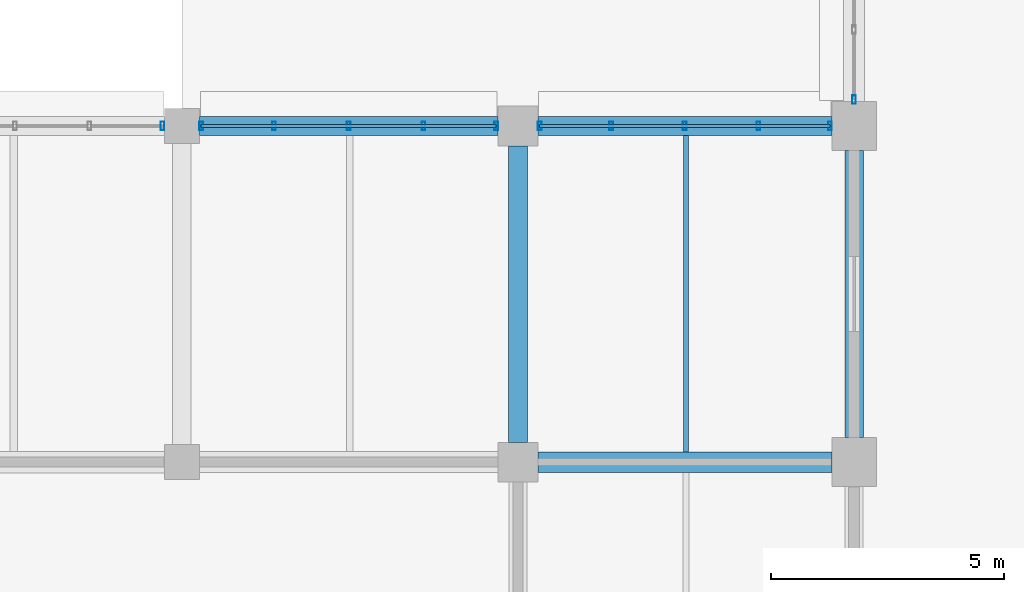
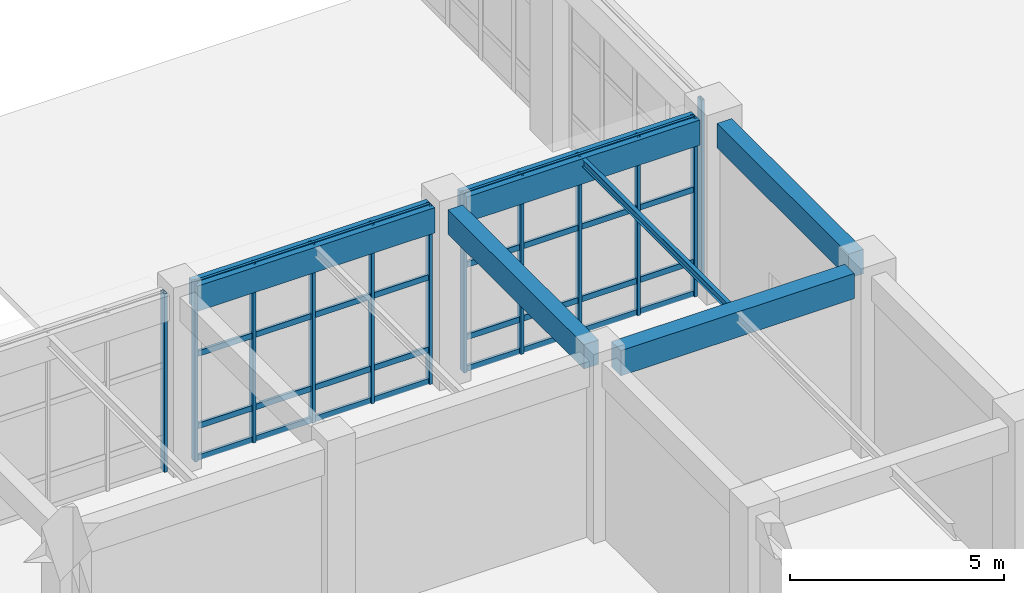
# One storey, part 38 of 160: 20 members, 6 beams, 4 elements without a shape of their own.
"""IFC4 building model written with IfcOpenShell, lengths in metres."""

from ifc_helpers import new_model, si_unit, direction, frame, origin, origin_2d, place, context, subcontext, project, spatial, rectangle, hollow_rectangle, i_section, extrude, material, material_profile, profile_set, type_object, element, aggregate, save


model = new_model("IFC4")

# Units and contexts
model_context = context("Model", 3, precision=1e-05, world=origin(), true_north=direction((0.0, 1.0)))
body_context = subcontext(model_context, "Body", "Model", "MODEL_VIEW")
ifc_project = project(units=[si_unit("LENGTHUNIT", "METRE"), si_unit("AREAUNIT", "SQUARE_METRE"), si_unit("VOLUMEUNIT", "CUBIC_METRE"), si_unit("PLANEANGLEUNIT", "RADIAN"), si_unit("MASSUNIT", "GRAM", prefix="KILO")], contexts=[model_context])

# Site, building, storey
site_placement = place(None, origin())
site = spatial("IfcSite", under=ifc_project, at=site_placement, CompositionType="ELEMENT")
building_placement = place(site_placement, origin())
building = spatial("IfcBuilding", under=site, at=building_placement, Name="Thalmaran Polytechnic", CompositionType="ELEMENT")
storey_placement = place(building_placement, origin())
storey = spatial("IfcBuildingStorey", under=building, at=storey_placement, Name="L00", CompositionType="ELEMENT", Elevation=0.0)

# Beams
ifc_material_1 = material(Name="Steel S355", Category="steel")
ifc_material_profile_1 = material_profile(ifc_material_1, i_section(OverallWidth=0.110107421875, OverallDepth=0.219970703125, WebThickness=0.005859375, FlangeThickness=0.00927734375, at=origin_2d()), Name="IPE 220")
ifc_profile_set_1 = profile_set([ifc_material_profile_1], Name="Steel S355")
beam_type_1 = type_object("IfcBeamType", Name="BM-SJ04", PredefinedType="JOIST", material=ifc_profile_set_1)
beam_1_placement = place(storey_placement, frame((104.39990234375, 29.02001953125, 4.97998046875), z_axis=(0.0, 1.0, 0.0), x_axis=(-1.0, 0.0, 0.0)))
element("IfcBeam", 1, at=beam_1_placement, inside=storey, type_object=beam_type_1, Name="Secondary Floor Rib SJ04 L00 (14,4)", PredefinedType="JOIST", context=body_context, shape_type="SweptSolid", body=[
    extrude(i_section(OverallWidth=0.110107421875, OverallDepth=0.219970703125, WebThickness=0.005859375, FlangeThickness=0.00927734375, at=origin_2d()), origin(), (0.0, 0.0, 1.0), 6.780029296875),
])
ifc_material_2 = material(Name="Concrete C40/50", Category="concrete")
ifc_material_profile_2 = material_profile(ifc_material_2, rectangle(XDim=0.39990234375, YDim=0.719970703125, at=origin_2d()), Name="RC 400x720")
ifc_profile_set_2 = profile_set([ifc_material_profile_2], Name="Concrete C40/50")
beam_type_2 = type_object("IfcBeamType", Name="BM-SP01", PredefinedType="SPANDREL", material=ifc_profile_set_2)
beam_2_placement = place(storey_placement, frame((93.97509765625, 36.0, 4.72998046875), z_axis=(1.0, 0.0, 0.0), x_axis=(0.0, 1.0, 0.0)))
element("IfcBeam", 2, at=beam_2_placement, inside=storey, type_object=beam_type_2, Name="Grid Beam SP01 L00 X(13,5)", PredefinedType="SPANDREL", context=body_context, shape_type="SweptSolid", body=[
    extrude(rectangle(XDim=0.39990234375, YDim=0.719970703125, at=origin_2d()), origin(), (0.0, 0.0, 1.0), 6.39990234375),
])
beam_3_placement = place(storey_placement, frame((101.22509765625, 36.0, 4.72998046875), z_axis=(1.0, 0.0, 0.0), x_axis=(0.0, 1.0, 0.0)))
element("IfcBeam", 3, at=beam_3_placement, inside=storey, type_object=beam_type_2, Name="Grid Beam SP01 L00 X(14,5)", PredefinedType="SPANDREL", context=body_context, shape_type="SweptSolid", body=[
    extrude(rectangle(XDim=0.39990234375, YDim=0.719970703125, at=origin_2d()), origin(), (0.0, 0.0, 1.0), 6.2998046875),
])
ifc_material_profile_3 = material_profile(ifc_material_2, rectangle(XDim=0.43994140625, YDim=0.719970703125, at=origin_2d()), Name="RC 440x720")
ifc_profile_set_3 = profile_set([ifc_material_profile_3], Name="Concrete C40/50")
beam_type_3 = type_object("IfcBeamType", Name="BM-ZB03", PredefinedType="BEAM", material=ifc_profile_set_3)
beam_4_placement = place(storey_placement, frame((101.22509765625, 28.800048828125, 4.72998046875), z_axis=(1.0, 0.0, 0.0), x_axis=(0.0, 1.0, 0.0)))
element("IfcBeam", 4, at=beam_4_placement, inside=storey, type_object=beam_type_3, Name="Grid Beam ZB03 L00 X(14,4)", PredefinedType="BEAM", context=body_context, shape_type="SweptSolid", body=[
    extrude(rectangle(XDim=0.43994140625, YDim=0.719970703125, at=origin_2d()), origin(), (0.0, 0.0, 1.0), 6.2998046875),
])
ifc_material_profile_4 = material_profile(ifc_material_2, rectangle(XDim=0.39990234375, YDim=0.695068359375, at=origin_2d()), Name="RC 400x695")
ifc_profile_set_4 = profile_set([ifc_material_profile_4], Name="Concrete C40/50")
beam_type_4 = type_object("IfcBeamType", Name="BM-ZB08", PredefinedType="BEAM", material=ifc_profile_set_4)
beam_5_placement = place(storey_placement, frame((100.800048828125, 29.22509765625, 4.742431640625), z_axis=(0.0, 1.0, 0.0), x_axis=(-1.0, 0.0, 0.0)))
element("IfcBeam", 5, at=beam_5_placement, inside=storey, type_object=beam_type_4, Name="Grid Beam ZB08 L00 Y(14,4)", PredefinedType="BEAM", context=body_context, shape_type="SweptSolid", body=[
    extrude(rectangle(XDim=0.39990234375, YDim=0.695068359375, at=origin_2d()), origin(), (0.0, 0.0, 1.0), 6.349853515625),
])
beam_6_placement = place(storey_placement, frame((108.0, 29.324951171875, 4.742431640625), z_axis=(0.0, 1.0, 0.0), x_axis=(-1.0, 0.0, 0.0)))
element("IfcBeam", 6, at=beam_6_placement, inside=storey, type_object=beam_type_4, Name="Grid Beam ZB08 L00 Y(15,4)", PredefinedType="BEAM", context=body_context, shape_type="SweptSolid", body=[
    extrude(rectangle(XDim=0.39990234375, YDim=0.695068359375, at=origin_2d()), origin(), (0.0, 0.0, 1.0), 6.150146484375),
])

# Curtain wall, member
ifc_material_3 = material(Name="Aluminium 6063-T6", Category="aluminium")
curtain_wall_type = type_object("IfcCurtainWallType", Name="CW-UC01", PredefinedType="USERDEFINED", material=ifc_material_3)
curtain_wall_1_placement = place(storey_placement, origin())
curtain_wall_1 = element("IfcCurtainWall", 7, at=curtain_wall_1_placement, inside=storey, type_object=curtain_wall_type, Name="Curtain Wall CW-L00-058", ObjectType="UNITISED CURTAIN WALL", PredefinedType="USERDEFINED")
ifc_material_profile_5 = material_profile(ifc_material_3, hollow_rectangle(XDim=0.080078125, YDim=0.179931640625, WallThickness=0.0048828125, at=origin_2d()), Name="RHS 180x80x5.0")
ifc_profile_set_5 = profile_set([ifc_material_profile_5], Name="Aluminium 6063-T6")
member_type_1 = type_object("IfcMemberType", Name="CW-MUL1", PredefinedType="MULLION", material=ifc_profile_set_5)
member_1_placement = place(storey_placement, frame((93.18505859375, 36.0, 0.0), z_axis=(0.0, 0.0, 1.0), x_axis=(1.0, 0.0, 0.0)))
member_1 = element("IfcMember", 8, at=member_1_placement, type_object=member_type_1, Name="CW-L00-058 Mullion 5", PredefinedType="MULLION", context=body_context, shape_type="SweptSolid", body=[
    extrude(hollow_rectangle(XDim=0.080078125, YDim=0.179931640625, WallThickness=0.0048828125, at=origin_2d()), origin(), (0.0, 0.0, 1.0), 5.090087890625),
])
aggregate(curtain_wall_1, [member_1])

# Curtain wall, members
curtain_wall_2_placement = place(storey_placement, origin())
curtain_wall_2 = element("IfcCurtainWall", 9, at=curtain_wall_2_placement, inside=storey, type_object=curtain_wall_type, Name="Curtain Wall CW-L00-059", ObjectType="UNITISED CURTAIN WALL", PredefinedType="USERDEFINED")
member_2_placement = place(storey_placement, frame((94.014892578125, 36.0, 0.0), z_axis=(0.0, 0.0, 1.0), x_axis=(1.0, 0.0, 0.0)))
member_2 = element("IfcMember", 10, at=member_2_placement, type_object=member_type_1, Name="CW-L00-059 Mullion 1", PredefinedType="MULLION", context=body_context, shape_type="SweptSolid", body=[
    extrude(hollow_rectangle(XDim=0.080078125, YDim=0.179931640625, WallThickness=0.0048828125, at=origin_2d()), origin(), (0.0, 0.0, 1.0), 5.090087890625),
])
member_3_placement = place(storey_placement, frame((95.574951171875, 36.0, 0.0), z_axis=(0.0, 0.0, 1.0), x_axis=(1.0, 0.0, 0.0)))
member_3 = element("IfcMember", 11, at=member_3_placement, type_object=member_type_1, Name="CW-L00-059 Mullion 2", PredefinedType="MULLION", context=body_context, shape_type="SweptSolid", body=[
    extrude(hollow_rectangle(XDim=0.080078125, YDim=0.179931640625, WallThickness=0.0048828125, at=origin_2d()), origin(), (0.0, 0.0, 1.0), 5.090087890625),
])
member_4_placement = place(storey_placement, frame((97.175048828125, 36.0, 0.0), z_axis=(0.0, 0.0, 1.0), x_axis=(1.0, 0.0, 0.0)))
member_4 = element("IfcMember", 12, at=member_4_placement, type_object=member_type_1, Name="CW-L00-059 Mullion 3", PredefinedType="MULLION", context=body_context, shape_type="SweptSolid", body=[
    extrude(hollow_rectangle(XDim=0.080078125, YDim=0.179931640625, WallThickness=0.0048828125, at=origin_2d()), origin(), (0.0, 0.0, 1.0), 5.090087890625),
])
member_5_placement = place(storey_placement, frame((98.77490234375, 36.0, 0.0), z_axis=(0.0, 0.0, 1.0), x_axis=(1.0, 0.0, 0.0)))
member_5 = element("IfcMember", 13, at=member_5_placement, type_object=member_type_1, Name="CW-L00-059 Mullion 4", PredefinedType="MULLION", context=body_context, shape_type="SweptSolid", body=[
    extrude(hollow_rectangle(XDim=0.080078125, YDim=0.179931640625, WallThickness=0.0048828125, at=origin_2d()), origin(), (0.0, 0.0, 1.0), 5.090087890625),
])
member_6_placement = place(storey_placement, frame((100.3349609375, 36.0, 0.0), z_axis=(0.0, 0.0, 1.0), x_axis=(1.0, 0.0, 0.0)))
member_6 = element("IfcMember", 14, at=member_6_placement, type_object=member_type_1, Name="CW-L00-059 Mullion 5", PredefinedType="MULLION", context=body_context, shape_type="SweptSolid", body=[
    extrude(hollow_rectangle(XDim=0.080078125, YDim=0.179931640625, WallThickness=0.0048828125, at=origin_2d()), origin(), (0.0, 0.0, 1.0), 5.090087890625),
])

curtain_wall_3_placement = place(storey_placement, origin())
curtain_wall_3 = element("IfcCurtainWall", 15, at=curtain_wall_3_placement, inside=storey, type_object=curtain_wall_type, Name="Curtain Wall CW-L00-060", ObjectType="UNITISED CURTAIN WALL", PredefinedType="USERDEFINED")
member_7_placement = place(storey_placement, frame((101.264892578125, 36.0, 0.0), z_axis=(0.0, 0.0, 1.0), x_axis=(1.0, 0.0, 0.0)))
member_7 = element("IfcMember", 16, at=member_7_placement, type_object=member_type_1, Name="CW-L00-060 Mullion 1", PredefinedType="MULLION", context=body_context, shape_type="SweptSolid", body=[
    extrude(hollow_rectangle(XDim=0.080078125, YDim=0.179931640625, WallThickness=0.0048828125, at=origin_2d()), origin(), (0.0, 0.0, 1.0), 5.090087890625),
])
member_8_placement = place(storey_placement, frame((102.800048828125, 36.0, 0.0), z_axis=(0.0, 0.0, 1.0), x_axis=(1.0, 0.0, 0.0)))
member_8 = element("IfcMember", 17, at=member_8_placement, type_object=member_type_1, Name="CW-L00-060 Mullion 2", PredefinedType="MULLION", context=body_context, shape_type="SweptSolid", body=[
    extrude(hollow_rectangle(XDim=0.080078125, YDim=0.179931640625, WallThickness=0.0048828125, at=origin_2d()), origin(), (0.0, 0.0, 1.0), 5.090087890625),
])
member_9_placement = place(storey_placement, frame((104.375, 36.0, 0.0), z_axis=(0.0, 0.0, 1.0), x_axis=(1.0, 0.0, 0.0)))
member_9 = element("IfcMember", 18, at=member_9_placement, type_object=member_type_1, Name="CW-L00-060 Mullion 3", PredefinedType="MULLION", context=body_context, shape_type="SweptSolid", body=[
    extrude(hollow_rectangle(XDim=0.080078125, YDim=0.179931640625, WallThickness=0.0048828125, at=origin_2d()), origin(), (0.0, 0.0, 1.0), 5.090087890625),
])
member_10_placement = place(storey_placement, frame((105.949951171875, 36.0, 0.0), z_axis=(0.0, 0.0, 1.0), x_axis=(1.0, 0.0, 0.0)))
member_10 = element("IfcMember", 19, at=member_10_placement, type_object=member_type_1, Name="CW-L00-060 Mullion 4", PredefinedType="MULLION", context=body_context, shape_type="SweptSolid", body=[
    extrude(hollow_rectangle(XDim=0.080078125, YDim=0.179931640625, WallThickness=0.0048828125, at=origin_2d()), origin(), (0.0, 0.0, 1.0), 5.090087890625),
])
member_11_placement = place(storey_placement, frame((107.485107421875, 36.0, 0.0), z_axis=(0.0, 0.0, 1.0), x_axis=(1.0, 0.0, 0.0)))
member_11 = element("IfcMember", 20, at=member_11_placement, type_object=member_type_1, Name="CW-L00-060 Mullion 5", PredefinedType="MULLION", context=body_context, shape_type="SweptSolid", body=[
    extrude(hollow_rectangle(XDim=0.080078125, YDim=0.179931640625, WallThickness=0.0048828125, at=origin_2d()), origin(), (0.0, 0.0, 1.0), 5.090087890625),
])

# Curtain wall, member
curtain_wall_4_placement = place(storey_placement, origin())
curtain_wall_4 = element("IfcCurtainWall", 21, at=curtain_wall_4_placement, inside=storey, type_object=curtain_wall_type, Name="Curtain Wall CW-L00-061", ObjectType="UNITISED CURTAIN WALL", PredefinedType="USERDEFINED")
member_12_placement = place(storey_placement, frame((108.0, 36.56494140625, 0.0), z_axis=(0.0, 0.0, 1.0), x_axis=(1.0, 0.0, 0.0)))
member_12 = element("IfcMember", 22, at=member_12_placement, type_object=member_type_1, Name="CW-L00-061 Mullion 1", PredefinedType="MULLION", context=body_context, shape_type="SweptSolid", body=[
    extrude(hollow_rectangle(XDim=0.080078125, YDim=0.179931640625, WallThickness=0.0048828125, at=origin_2d()), origin(), (0.0, 0.0, 1.0), 5.090087890625),
])
aggregate(curtain_wall_4, [member_12])

# Member
ifc_material_profile_6 = material_profile(ifc_material_3, hollow_rectangle(XDim=0.070068359375, YDim=0.159912109375, WallThickness=0.00390625, at=origin_2d()), Name="AL 160x70x4.0")
ifc_profile_set_6 = profile_set([ifc_material_profile_6], Name="Aluminium 6063-T6")
member_type_2 = type_object("IfcMemberType", Name="CW-TRN1", PredefinedType="USERDEFINED", material=ifc_profile_set_6)
member_13_placement = place(storey_placement, frame((94.014892578125, 36.0, 0.06005859375), z_axis=(1.0, 0.0, 0.0), x_axis=(0.0, 1.0, 0.0)))
member_13 = element("IfcMember", 23, at=member_13_placement, type_object=member_type_2, Name="CW-L00-059 Transom 1", ObjectType="TRANSOM", PredefinedType="USERDEFINED", context=body_context, shape_type="SweptSolid", body=[
    extrude(hollow_rectangle(XDim=0.070068359375, YDim=0.159912109375, WallThickness=0.00390625, at=origin_2d()), origin(), (0.0, 0.0, 1.0), 6.320068359375),
])

member_14_placement = place(storey_placement, frame((94.014892578125, 36.0, 0.9599609375), z_axis=(1.0, 0.0, 0.0), x_axis=(0.0, 1.0, 0.0)))
member_14 = element("IfcMember", 24, at=member_14_placement, type_object=member_type_2, Name="CW-L00-059 Transom 2", ObjectType="TRANSOM", PredefinedType="USERDEFINED", context=body_context, shape_type="SweptSolid", body=[
    extrude(hollow_rectangle(XDim=0.070068359375, YDim=0.159912109375, WallThickness=0.00390625, at=origin_2d()), origin(), (0.0, 0.0, 1.0), 6.320068359375),
])

member_15_placement = place(storey_placement, frame((94.014892578125, 36.0, 3.02490234375), z_axis=(1.0, 0.0, 0.0), x_axis=(0.0, 1.0, 0.0)))
member_15 = element("IfcMember", 25, at=member_15_placement, type_object=member_type_2, Name="CW-L00-059 Transom 3", ObjectType="TRANSOM", PredefinedType="USERDEFINED", context=body_context, shape_type="SweptSolid", body=[
    extrude(hollow_rectangle(XDim=0.070068359375, YDim=0.159912109375, WallThickness=0.00390625, at=origin_2d()), origin(), (0.0, 0.0, 1.0), 6.320068359375),
])

member_16_placement = place(storey_placement, frame((94.014892578125, 36.0, 5.030029296875), z_axis=(1.0, 0.0, 0.0), x_axis=(0.0, 1.0, 0.0)))
member_16 = element("IfcMember", 26, at=member_16_placement, type_object=member_type_2, Name="CW-L00-059 Transom 4", ObjectType="TRANSOM", PredefinedType="USERDEFINED", context=body_context, shape_type="SweptSolid", body=[
    extrude(hollow_rectangle(XDim=0.070068359375, YDim=0.159912109375, WallThickness=0.00390625, at=origin_2d()), origin(), (0.0, 0.0, 1.0), 6.320068359375),
])

aggregate(curtain_wall_2, [member_2, member_3, member_4, member_5, member_6, member_13, member_14, member_15, member_16])

member_17_placement = place(storey_placement, frame((101.264892578125, 36.0, 0.06005859375), z_axis=(1.0, 0.0, 0.0), x_axis=(0.0, 1.0, 0.0)))
member_17 = element("IfcMember", 27, at=member_17_placement, type_object=member_type_2, Name="CW-L00-060 Transom 1", ObjectType="TRANSOM", PredefinedType="USERDEFINED", context=body_context, shape_type="SweptSolid", body=[
    extrude(hollow_rectangle(XDim=0.070068359375, YDim=0.159912109375, WallThickness=0.00390625, at=origin_2d()), origin(), (0.0, 0.0, 1.0), 6.22021484375),
])

member_18_placement = place(storey_placement, frame((101.264892578125, 36.0, 0.9599609375), z_axis=(1.0, 0.0, 0.0), x_axis=(0.0, 1.0, 0.0)))
member_18 = element("IfcMember", 28, at=member_18_placement, type_object=member_type_2, Name="CW-L00-060 Transom 2", ObjectType="TRANSOM", PredefinedType="USERDEFINED", context=body_context, shape_type="SweptSolid", body=[
    extrude(hollow_rectangle(XDim=0.070068359375, YDim=0.159912109375, WallThickness=0.00390625, at=origin_2d()), origin(), (0.0, 0.0, 1.0), 6.22021484375),
])

member_19_placement = place(storey_placement, frame((101.264892578125, 36.0, 3.02490234375), z_axis=(1.0, 0.0, 0.0), x_axis=(0.0, 1.0, 0.0)))
member_19 = element("IfcMember", 29, at=member_19_placement, type_object=member_type_2, Name="CW-L00-060 Transom 3", ObjectType="TRANSOM", PredefinedType="USERDEFINED", context=body_context, shape_type="SweptSolid", body=[
    extrude(hollow_rectangle(XDim=0.070068359375, YDim=0.159912109375, WallThickness=0.00390625, at=origin_2d()), origin(), (0.0, 0.0, 1.0), 6.22021484375),
])

member_20_placement = place(storey_placement, frame((101.264892578125, 36.0, 5.030029296875), z_axis=(1.0, 0.0, 0.0), x_axis=(0.0, 1.0, 0.0)))
member_20 = element("IfcMember", 30, at=member_20_placement, type_object=member_type_2, Name="CW-L00-060 Transom 4", ObjectType="TRANSOM", PredefinedType="USERDEFINED", context=body_context, shape_type="SweptSolid", body=[
    extrude(hollow_rectangle(XDim=0.070068359375, YDim=0.159912109375, WallThickness=0.00390625, at=origin_2d()), origin(), (0.0, 0.0, 1.0), 6.22021484375),
])

aggregate(curtain_wall_3, [member_7, member_8, member_9, member_10, member_11, member_17, member_18, member_19, member_20])

save(model, "model.ifc")
